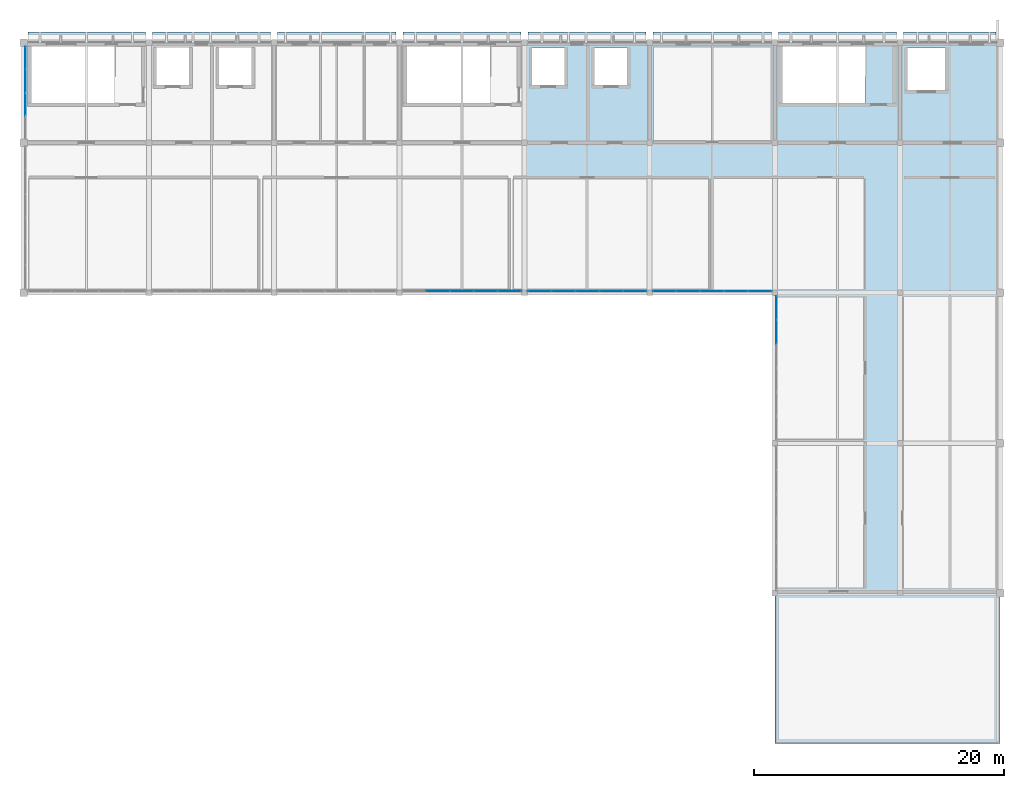
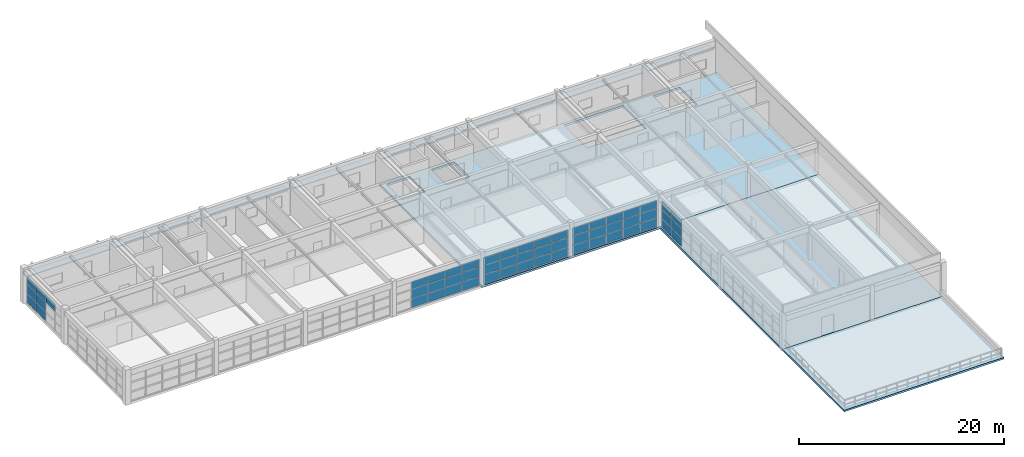
# One storey, part 11 of 16: 63 plates, 3 slabs, 5 elements without a shape of their own.
"""IFC4 building model written with IfcOpenShell, lengths in metres."""

import ifcopenshell
import ifcopenshell.guid

model = None  # the IFC model being written
_history = None  # IfcOwnerHistory: only IFC2X3 demands one
_inside = {}  # id of a spatial element -> (the spatial element, [elements in it])
_under = {}  # id of a project, library or spatial element -> (it, [spatial elements below it])
_declared = {}  # id of a project -> (the project, [libraries it declares])
_typed = {}  # id of a type object -> (the type object, [elements of that type])
_made_of = {}  # id of a material, layer set ... -> (it, [elements and type objects made of it])


def new_model(schema):
    """Start an empty IFC model of exactly this schema.

    Asked for "IFC4X3", IfcOpenShell would pick the latest addendum, in which some entities
    have other attributes; the version numbers below select the first issue.
    IFC2X3 requires an IfcOwnerHistory on every rooted entity: one is made here for all.
    """
    global model, _history
    if schema == "IFC4X3":
        model = ifcopenshell.file(schema_version=(4, 3, 0, 0))
    else:
        model = ifcopenshell.file(schema=schema)
    _inside.clear()
    _under.clear()
    _declared.clear()
    _typed.clear()
    _made_of.clear()
    _history = None
    if model.schema == "IFC2X3":
        org = make("IfcOrganization", Name="unknown")
        user = make(
            "IfcPersonAndOrganization",
            ThePerson=make("IfcPerson", FamilyName="unknown"),
            TheOrganization=org,
        )
        app = make(
            "IfcApplication",
            ApplicationDeveloper=org,
            Version="unknown",
            ApplicationFullName="unknown",
            ApplicationIdentifier="unknown",
        )
        _history = make(
            "IfcOwnerHistory",
            OwningUser=user,
            OwningApplication=app,
            ChangeAction="ADDED",
            CreationDate=0,
        )
    return model


def make(cls, **values):
    """One entity of the class cls with the attributes given. An attribute that is None is left unset."""
    return model.create_entity(
        cls, **{name: value for name, value in values.items() if value is not None}
    )


def rooted(cls, **values):
    """An entity with a GlobalId (a new one), such as an element, a storey or a relation."""
    return make(cls, GlobalId=ifcopenshell.guid.new(), OwnerHistory=_history, **values)


def si_unit(unit_type, name, prefix=None):
    """IfcSIUnit, for example si_unit("LENGTHUNIT", "METRE", prefix="MILLI")."""
    return make("IfcSIUnit", UnitType=unit_type, Prefix=prefix, Name=name)


def assignment(units):
    """IfcUnitAssignment: the units of a project."""
    return None if units is None else make("IfcUnitAssignment", Units=units)


def point(xyz):
    """IfcCartesianPoint."""
    return None if xyz is None else make("IfcCartesianPoint", Coordinates=xyz)


def direction(xyz):
    """IfcDirection."""
    return None if xyz is None else make("IfcDirection", DirectionRatios=xyz)


def frame(location, z_axis=None, x_axis=None):
    """IfcAxis2Placement3D, a coordinate frame: its origin and axes. An axis left out is left unset."""
    return make(
        "IfcAxis2Placement3D",
        Location=point(location),
        Axis=direction(z_axis),
        RefDirection=direction(x_axis),
    )


def frame_2d(location, x_axis=None):
    """IfcAxis2Placement2D, a coordinate frame in the plane: its origin and x axis."""
    return make(
        "IfcAxis2Placement2D", Location=point(location), RefDirection=direction(x_axis)
    )


def origin():
    """The frame at (0, 0, 0) with its axes left unset."""
    return frame((0.0, 0.0, 0.0))


def origin_2d():
    """The frame at (0, 0) in the plane with its x axis left unset."""
    return frame_2d((0.0, 0.0))


def place(relative_to, where):
    """IfcLocalPlacement: puts the frame where relative to a parent placement (None: the world)."""
    return make(
        "IfcLocalPlacement", PlacementRelTo=relative_to, RelativePlacement=where
    )


def context(
    kind, dimensions, precision=None, world=None, true_north=None, identifier=None
):
    """IfcGeometricRepresentationContext, for example the 3D "Model" context."""
    return make(
        "IfcGeometricRepresentationContext",
        ContextIdentifier=identifier,
        ContextType=kind,
        CoordinateSpaceDimension=dimensions,
        Precision=precision,
        WorldCoordinateSystem=world,
        TrueNorth=true_north,
    )


def subcontext(parent, identifier, kind, view, scale=None):
    """IfcGeometricRepresentationSubContext, for example "Body" below "Model"."""
    return make(
        "IfcGeometricRepresentationSubContext",
        ContextIdentifier=identifier,
        ContextType=kind,
        ParentContext=parent,
        TargetScale=scale,
        TargetView=view,
    )


def project(units=None, contexts=None):
    """IfcProject with its units and contexts."""
    return rooted(
        "IfcProject",
        Name="project",
        RepresentationContexts=contexts,
        UnitsInContext=assignment(units),
    )


def spatial(cls, under=None, at=None, **own):
    """A site, building, storey or space (cls), placed at a placement, below another one or the project."""
    s = rooted(cls, ObjectPlacement=at, **own)
    if under is not None:
        _under.setdefault(under.id(), (under, []))[1].append(s)
    return s


def polyline(points):
    """IfcPolyline through the points."""
    return make("IfcPolyline", Points=[point(p) for p in points])


def profile(cls, at=None, kind="AREA", **sizes):
    """A parametric profile (cls). Its sizes go by their IFC names, for example OverallWidth=200.0."""
    return make(cls, ProfileType=kind, Position=at, **sizes)


def rectangle(**sizes):
    """IfcRectangleProfileDef."""
    return profile("IfcRectangleProfileDef", **sizes)


def outline(outer, holes=None, kind="AREA"):
    """IfcArbitraryClosedProfileDef: a profile drawn as a closed curve; with holes, ...WithVoids."""
    if holes is None:
        return make("IfcArbitraryClosedProfileDef", ProfileType=kind, OuterCurve=outer)
    return make(
        "IfcArbitraryProfileDefWithVoids",
        ProfileType=kind,
        OuterCurve=outer,
        InnerCurves=holes,
    )


def extrude(swept, where, along, depth):
    """IfcExtrudedAreaSolid: the profile swept, set in the frame where, extruded along a direction by depth."""
    return make(
        "IfcExtrudedAreaSolid",
        SweptArea=swept,
        Position=where,
        ExtrudedDirection=direction(along),
        Depth=depth,
    )


def shape(context_of_items, identifier, shape_type, items):
    """IfcShapeRepresentation: the items that make up one representation, for example the "Body"."""
    return make(
        "IfcShapeRepresentation",
        ContextOfItems=context_of_items,
        RepresentationIdentifier=identifier,
        RepresentationType=shape_type,
        Items=items,
    )


def material(Name=None, Category=None):
    """IfcMaterial."""
    return make("IfcMaterial", Name=Name, Category=Category)


def layer(
    of_material, thickness, ventilated=None, Name=None, Category=None, Priority=None
):
    """IfcMaterialLayer: one layer of a wall or slab, of a material (None: an air gap)."""
    return make(
        "IfcMaterialLayer",
        Material=of_material,
        LayerThickness=thickness,
        IsVentilated=ventilated,
        Name=Name,
        Category=Category,
        Priority=Priority,
    )


def layer_set(layers, Name=None):
    """IfcMaterialLayerSet."""
    return make("IfcMaterialLayerSet", MaterialLayers=layers, LayerSetName=Name)


def made_of(thing, what):
    """Note that an element or type object is made of a material, layer set ...; save() writes the relation."""
    if what is not None:
        _made_of.setdefault(what.id(), (what, []))[1].append(thing)
    return thing


def type_object(cls, material=None, **own):
    """A type object (cls), such as IfcWallType, which elements share."""
    return made_of(rooted(cls, **own), material)


def element(
    cls,
    number,
    at=None,
    inside=None,
    cuts=None,
    type_object=None,
    material=None,
    context=None,
    identifier="Body",
    shape_type=None,
    held_by="IfcProductDefinitionShape",
    body=None,
    shapes=None,
    **own,
):
    """One element of the class cls, such as IfcWall. Its Tag is "e" and its number.

    at: its placement. inside: the storey or other place that contains it. cuts: it is an
    opening in that element (IfcRelVoidsElement). A single representation is given by context,
    identifier, shape_type and body (its items); several are given by shapes. held_by: the class
    of the entity that holds the representations. save() writes the other relations.
    """
    e = rooted(cls, Tag="e%d" % number, ObjectPlacement=at, **own)
    if body is not None:
        shapes = [shape(context, identifier, shape_type, body)]
    if shapes is not None:
        e.Representation = make(held_by, Representations=shapes)
    if inside is not None:
        _inside.setdefault(inside.id(), (inside, []))[1].append(e)
    if cuts is not None:
        rooted(
            "IfcRelVoidsElement", RelatingBuildingElement=cuts, RelatedOpeningElement=e
        )
    if type_object is not None:
        _typed.setdefault(type_object.id(), (type_object, []))[1].append(e)
    return made_of(e, material)


def aggregate(whole, parts):
    """IfcRelAggregates: a whole, such as a stair, and the parts it consists of."""
    return rooted("IfcRelAggregates", RelatingObject=whole, RelatedObjects=parts)


def save(model, path):
    """Write the relations noted so far, then the file.

    IfcRelAggregates (storeys below a building ...), IfcRelContainedInSpatialStructure (elements
    in a storey), IfcRelDefinesByType, IfcRelAssociatesMaterial and IfcRelDeclares: one each for
    every whole, place, type object, material and project.
    """
    for whole, parts in _under.values():
        aggregate(whole, parts)
    for where, things in _inside.values():
        rooted(
            "IfcRelContainedInSpatialStructure",
            RelatedElements=things,
            RelatingStructure=where,
        )
    for kind, things in _typed.values():
        rooted("IfcRelDefinesByType", RelatedObjects=things, RelatingType=kind)
    for what, things in _made_of.values():
        rooted("IfcRelAssociatesMaterial", RelatedObjects=things, RelatingMaterial=what)
    for by, libraries in _declared.values():
        rooted("IfcRelDeclares", RelatingContext=by, RelatedDefinitions=libraries)
    model.write(path)


model = new_model("IFC4")

# Units and contexts
model_context = context("Model", 3, precision=1e-05, world=origin(), true_north=direction((0.0, 1.0)))
body_context = subcontext(model_context, "Body", "Model", "MODEL_VIEW")
ifc_project = project(units=[si_unit("LENGTHUNIT", "METRE"), si_unit("AREAUNIT", "SQUARE_METRE"), si_unit("VOLUMEUNIT", "CUBIC_METRE"), si_unit("PLANEANGLEUNIT", "RADIAN"), si_unit("MASSUNIT", "GRAM", prefix="KILO")], contexts=[model_context])

# Site, building, storey
site_placement = place(None, origin())
site = spatial("IfcSite", under=ifc_project, at=site_placement, CompositionType="ELEMENT")
building_placement = place(site_placement, origin())
building = spatial("IfcBuilding", under=site, at=building_placement, Name="Kivolera Central Railway Station", CompositionType="ELEMENT")
storey_placement = place(building_placement, frame((0.0, 0.0, 27.0)))
storey = spatial("IfcBuildingStorey", under=building, at=storey_placement, Name="L06", CompositionType="ELEMENT", Elevation=27.0)

# Curtain wall, plates
ifc_material_1 = material(Name="Anodised aluminium", Category="aluminium")
ifc_layer_1 = layer(ifc_material_1, 0.179931640625, Name="Anodised aluminium")
ifc_layer_set_1 = layer_set([ifc_layer_1], Name="Anodised aluminium")
curtain_wall_type_1 = type_object("IfcCurtainWallType", Name="CW-SYS-34", PredefinedType="NOTDEFINED", material=ifc_layer_set_1)
curtain_wall_1_placement = place(storey_placement, origin())
curtain_wall_1 = element("IfcCurtainWall", 1, at=curtain_wall_1_placement, inside=storey, type_object=curtain_wall_type_1, Name="L06 Curtain Wall CW-L06-SOUTH-5", PredefinedType="NOTDEFINED")
ifc_material_2 = material(Name="Double low-E laminated glass", Category="glass")
ifc_layer_2 = layer(ifc_material_2, 0.02587890625, Name="Double low-E laminated glass")
ifc_layer_set_2 = layer_set([ifc_layer_2], Name="Double low-E laminated glass")
plate_type_1 = type_object("IfcPlateType", Name="CWP-GLZ-1", PredefinedType="CURTAIN_PANEL", material=ifc_layer_set_2)
plate_1_placement = place(storey_placement, frame((166.80908203125, 114.135009765625, 0.0478515625), z_axis=(0.0, 0.0, 1.0), x_axis=(-1.0, 0.0, 0.0)))
plate_1 = element("IfcPlate", 2, at=plate_1_placement, type_object=plate_type_1, Name="CW-34 panel 1.1", PredefinedType="CURTAIN_PANEL", context=body_context, shape_type="SweptSolid", body=[
    extrude(rectangle(XDim=1.845947265625, YDim=0.02587890625, at=origin_2d()), origin(), (0.0, 0.0, 1.0), 1.060302734375),
])
plate_2_placement = place(storey_placement, frame((166.80908203125, 114.135009765625, 1.144287109375), z_axis=(0.0, 0.0, 1.0), x_axis=(-1.0, 0.0, 0.0)))
plate_2 = element("IfcPlate", 3, at=plate_2_placement, type_object=plate_type_1, Name="CW-34 panel 1.2", PredefinedType="CURTAIN_PANEL", context=body_context, shape_type="SweptSolid", body=[
    extrude(rectangle(XDim=1.845947265625, YDim=0.02587890625, at=origin_2d()), origin(), (0.0, 0.0, 1.0), 1.09033203125),
])
plate_3_placement = place(storey_placement, frame((166.80908203125, 114.135009765625, 2.2705078125), z_axis=(0.0, 0.0, 1.0), x_axis=(-1.0, 0.0, 0.0)))
plate_3 = element("IfcPlate", 4, at=plate_3_placement, type_object=plate_type_1, Name="CW-34 panel 1.3", PredefinedType="CURTAIN_PANEL", context=body_context, shape_type="SweptSolid", body=[
    extrude(rectangle(XDim=1.845947265625, YDim=0.02587890625, at=origin_2d()), origin(), (0.0, 0.0, 1.0), 0.8994140625),
])
plate_4_placement = place(storey_placement, frame((164.912109375, 114.135009765625, 0.0478515625), z_axis=(0.0, 0.0, 1.0), x_axis=(-1.0, 0.0, 0.0)))
plate_4 = element("IfcPlate", 5, at=plate_4_placement, type_object=plate_type_1, Name="CW-34 panel 2.1", PredefinedType="CURTAIN_PANEL", context=body_context, shape_type="SweptSolid", body=[
    extrude(rectangle(XDim=1.8759765625, YDim=0.02587890625, at=origin_2d()), origin(), (0.0, 0.0, 1.0), 1.060302734375),
])
plate_5_placement = place(storey_placement, frame((164.912109375, 114.135009765625, 1.144287109375), z_axis=(0.0, 0.0, 1.0), x_axis=(-1.0, 0.0, 0.0)))
plate_5 = element("IfcPlate", 6, at=plate_5_placement, type_object=plate_type_1, Name="CW-34 panel 2.2", PredefinedType="CURTAIN_PANEL", context=body_context, shape_type="SweptSolid", body=[
    extrude(rectangle(XDim=1.8759765625, YDim=0.02587890625, at=origin_2d()), origin(), (0.0, 0.0, 1.0), 1.09033203125),
])
plate_6_placement = place(storey_placement, frame((164.912109375, 114.135009765625, 2.2705078125), z_axis=(0.0, 0.0, 1.0), x_axis=(-1.0, 0.0, 0.0)))
plate_6 = element("IfcPlate", 7, at=plate_6_placement, type_object=plate_type_1, Name="CW-34 panel 2.3", PredefinedType="CURTAIN_PANEL", context=body_context, shape_type="SweptSolid", body=[
    extrude(rectangle(XDim=1.8759765625, YDim=0.02587890625, at=origin_2d()), origin(), (0.0, 0.0, 1.0), 0.8994140625),
])
plate_7_placement = place(storey_placement, frame((163.0, 114.135009765625, 0.0478515625), z_axis=(0.0, 0.0, 1.0), x_axis=(-1.0, 0.0, 0.0)))
plate_7 = element("IfcPlate", 8, at=plate_7_placement, type_object=plate_type_1, Name="CW-34 panel 3.1", PredefinedType="CURTAIN_PANEL", context=body_context, shape_type="SweptSolid", body=[
    extrude(rectangle(XDim=1.8759765625, YDim=0.02587890625, at=origin_2d()), origin(), (0.0, 0.0, 1.0), 1.060302734375),
])
plate_8_placement = place(storey_placement, frame((163.0, 114.135009765625, 1.144287109375), z_axis=(0.0, 0.0, 1.0), x_axis=(-1.0, 0.0, 0.0)))
plate_8 = element("IfcPlate", 9, at=plate_8_placement, type_object=plate_type_1, Name="CW-34 panel 3.2", PredefinedType="CURTAIN_PANEL", context=body_context, shape_type="SweptSolid", body=[
    extrude(rectangle(XDim=1.8759765625, YDim=0.02587890625, at=origin_2d()), origin(), (0.0, 0.0, 1.0), 1.09033203125),
])
plate_9_placement = place(storey_placement, frame((163.0, 114.135009765625, 2.2705078125), z_axis=(0.0, 0.0, 1.0), x_axis=(-1.0, 0.0, 0.0)))
plate_9 = element("IfcPlate", 10, at=plate_9_placement, type_object=plate_type_1, Name="CW-34 panel 3.3", PredefinedType="CURTAIN_PANEL", context=body_context, shape_type="SweptSolid", body=[
    extrude(rectangle(XDim=1.8759765625, YDim=0.02587890625, at=origin_2d()), origin(), (0.0, 0.0, 1.0), 0.8994140625),
])
plate_10_placement = place(storey_placement, frame((161.087890625, 114.135009765625, 0.0478515625), z_axis=(0.0, 0.0, 1.0), x_axis=(-1.0, 0.0, 0.0)))
plate_10 = element("IfcPlate", 11, at=plate_10_placement, type_object=plate_type_1, Name="CW-34 panel 4.1", PredefinedType="CURTAIN_PANEL", context=body_context, shape_type="SweptSolid", body=[
    extrude(rectangle(XDim=1.8759765625, YDim=0.02587890625, at=origin_2d()), origin(), (0.0, 0.0, 1.0), 1.060302734375),
])
plate_11_placement = place(storey_placement, frame((161.087890625, 114.135009765625, 1.144287109375), z_axis=(0.0, 0.0, 1.0), x_axis=(-1.0, 0.0, 0.0)))
plate_11 = element("IfcPlate", 12, at=plate_11_placement, type_object=plate_type_1, Name="CW-34 panel 4.2", PredefinedType="CURTAIN_PANEL", context=body_context, shape_type="SweptSolid", body=[
    extrude(rectangle(XDim=1.8759765625, YDim=0.02587890625, at=origin_2d()), origin(), (0.0, 0.0, 1.0), 1.09033203125),
])
plate_12_placement = place(storey_placement, frame((161.087890625, 114.135009765625, 2.2705078125), z_axis=(0.0, 0.0, 1.0), x_axis=(-1.0, 0.0, 0.0)))
plate_12 = element("IfcPlate", 13, at=plate_12_placement, type_object=plate_type_1, Name="CW-34 panel 4.3", PredefinedType="CURTAIN_PANEL", context=body_context, shape_type="SweptSolid", body=[
    extrude(rectangle(XDim=1.8759765625, YDim=0.02587890625, at=origin_2d()), origin(), (0.0, 0.0, 1.0), 0.8994140625),
])
plate_13_placement = place(storey_placement, frame((159.19091796875, 114.135009765625, 0.0478515625), z_axis=(0.0, 0.0, 1.0), x_axis=(-1.0, 0.0, 0.0)))
plate_13 = element("IfcPlate", 14, at=plate_13_placement, type_object=plate_type_1, Name="CW-34 panel 5.1", PredefinedType="CURTAIN_PANEL", context=body_context, shape_type="SweptSolid", body=[
    extrude(rectangle(XDim=1.845947265625, YDim=0.02587890625, at=origin_2d()), origin(), (0.0, 0.0, 1.0), 1.060302734375),
])
plate_14_placement = place(storey_placement, frame((159.19091796875, 114.135009765625, 1.144287109375), z_axis=(0.0, 0.0, 1.0), x_axis=(-1.0, 0.0, 0.0)))
plate_14 = element("IfcPlate", 15, at=plate_14_placement, type_object=plate_type_1, Name="CW-34 panel 5.2", PredefinedType="CURTAIN_PANEL", context=body_context, shape_type="SweptSolid", body=[
    extrude(rectangle(XDim=1.845947265625, YDim=0.02587890625, at=origin_2d()), origin(), (0.0, 0.0, 1.0), 1.09033203125),
])
plate_15_placement = place(storey_placement, frame((159.19091796875, 114.135009765625, 2.2705078125), z_axis=(0.0, 0.0, 1.0), x_axis=(-1.0, 0.0, 0.0)))
plate_15 = element("IfcPlate", 16, at=plate_15_placement, type_object=plate_type_1, Name="CW-34 panel 5.3", PredefinedType="CURTAIN_PANEL", context=body_context, shape_type="SweptSolid", body=[
    extrude(rectangle(XDim=1.845947265625, YDim=0.02587890625, at=origin_2d()), origin(), (0.0, 0.0, 1.0), 0.8994140625),
])
aggregate(curtain_wall_1, [plate_1, plate_2, plate_3, plate_4, plate_5, plate_6, plate_7, plate_8, plate_9, plate_10, plate_11, plate_12, plate_13, plate_14, plate_15])

curtain_wall_2_placement = place(storey_placement, origin())
curtain_wall_2 = element("IfcCurtainWall", 17, at=curtain_wall_2_placement, inside=storey, type_object=curtain_wall_type_1, Name="L06 Curtain Wall CW-L06-SOUTH-6", PredefinedType="NOTDEFINED")
ifc_layer_3 = layer(ifc_material_2, 0.030029296875, Name="Double low-E laminated glass")
ifc_layer_set_3 = layer_set([ifc_layer_3], Name="Double low-E laminated glass")
plate_type_2 = type_object("IfcPlateType", Name="CWP-GLZ-2", PredefinedType="CURTAIN_PANEL", material=ifc_layer_set_3)
plate_16_placement = place(storey_placement, frame((176.80908203125, 114.135009765625, 0.0478515625), z_axis=(0.0, 0.0, 1.0), x_axis=(-1.0, 0.0, 0.0)))
plate_16 = element("IfcPlate", 18, at=plate_16_placement, type_object=plate_type_2, Name="CW-34 panel 1.1", PredefinedType="CURTAIN_PANEL", context=body_context, shape_type="SweptSolid", body=[
    extrude(rectangle(XDim=1.845947265625, YDim=0.030029296875, at=origin_2d()), origin(), (0.0, 0.0, 1.0), 1.060302734375),
])
plate_17_placement = place(storey_placement, frame((176.80908203125, 114.135009765625, 1.144287109375), z_axis=(0.0, 0.0, 1.0), x_axis=(-1.0, 0.0, 0.0)))
plate_17 = element("IfcPlate", 19, at=plate_17_placement, type_object=plate_type_2, Name="CW-34 panel 1.2", PredefinedType="CURTAIN_PANEL", context=body_context, shape_type="SweptSolid", body=[
    extrude(rectangle(XDim=1.845947265625, YDim=0.030029296875, at=origin_2d()), origin(), (0.0, 0.0, 1.0), 1.09033203125),
])
plate_18_placement = place(storey_placement, frame((176.80908203125, 114.135009765625, 2.2705078125), z_axis=(0.0, 0.0, 1.0), x_axis=(-1.0, 0.0, 0.0)))
plate_18 = element("IfcPlate", 20, at=plate_18_placement, type_object=plate_type_2, Name="CW-34 panel 1.3", PredefinedType="CURTAIN_PANEL", context=body_context, shape_type="SweptSolid", body=[
    extrude(rectangle(XDim=1.845947265625, YDim=0.030029296875, at=origin_2d()), origin(), (0.0, 0.0, 1.0), 0.8994140625),
])
plate_19_placement = place(storey_placement, frame((174.912109375, 114.135009765625, 0.0478515625), z_axis=(0.0, 0.0, 1.0), x_axis=(-1.0, 0.0, 0.0)))
plate_19 = element("IfcPlate", 21, at=plate_19_placement, type_object=plate_type_2, Name="CW-34 panel 2.1", PredefinedType="CURTAIN_PANEL", context=body_context, shape_type="SweptSolid", body=[
    extrude(rectangle(XDim=1.8759765625, YDim=0.030029296875, at=origin_2d()), origin(), (0.0, 0.0, 1.0), 1.060302734375),
])
plate_20_placement = place(storey_placement, frame((174.912109375, 114.135009765625, 1.144287109375), z_axis=(0.0, 0.0, 1.0), x_axis=(-1.0, 0.0, 0.0)))
plate_20 = element("IfcPlate", 22, at=plate_20_placement, type_object=plate_type_2, Name="CW-34 panel 2.2", PredefinedType="CURTAIN_PANEL", context=body_context, shape_type="SweptSolid", body=[
    extrude(rectangle(XDim=1.8759765625, YDim=0.030029296875, at=origin_2d()), origin(), (0.0, 0.0, 1.0), 1.09033203125),
])
plate_21_placement = place(storey_placement, frame((174.912109375, 114.135009765625, 2.2705078125), z_axis=(0.0, 0.0, 1.0), x_axis=(-1.0, 0.0, 0.0)))
plate_21 = element("IfcPlate", 23, at=plate_21_placement, type_object=plate_type_2, Name="CW-34 panel 2.3", PredefinedType="CURTAIN_PANEL", context=body_context, shape_type="SweptSolid", body=[
    extrude(rectangle(XDim=1.8759765625, YDim=0.030029296875, at=origin_2d()), origin(), (0.0, 0.0, 1.0), 0.8994140625),
])
plate_22_placement = place(storey_placement, frame((173.0, 114.135009765625, 0.0478515625), z_axis=(0.0, 0.0, 1.0), x_axis=(-1.0, 0.0, 0.0)))
plate_22 = element("IfcPlate", 24, at=plate_22_placement, type_object=plate_type_2, Name="CW-34 panel 3.1", PredefinedType="CURTAIN_PANEL", context=body_context, shape_type="SweptSolid", body=[
    extrude(rectangle(XDim=1.8759765625, YDim=0.030029296875, at=origin_2d()), origin(), (0.0, 0.0, 1.0), 1.060302734375),
])
plate_23_placement = place(storey_placement, frame((173.0, 114.135009765625, 1.144287109375), z_axis=(0.0, 0.0, 1.0), x_axis=(-1.0, 0.0, 0.0)))
plate_23 = element("IfcPlate", 25, at=plate_23_placement, type_object=plate_type_2, Name="CW-34 panel 3.2", PredefinedType="CURTAIN_PANEL", context=body_context, shape_type="SweptSolid", body=[
    extrude(rectangle(XDim=1.8759765625, YDim=0.030029296875, at=origin_2d()), origin(), (0.0, 0.0, 1.0), 1.09033203125),
])
plate_24_placement = place(storey_placement, frame((173.0, 114.135009765625, 2.2705078125), z_axis=(0.0, 0.0, 1.0), x_axis=(-1.0, 0.0, 0.0)))
plate_24 = element("IfcPlate", 26, at=plate_24_placement, type_object=plate_type_2, Name="CW-34 panel 3.3", PredefinedType="CURTAIN_PANEL", context=body_context, shape_type="SweptSolid", body=[
    extrude(rectangle(XDim=1.8759765625, YDim=0.030029296875, at=origin_2d()), origin(), (0.0, 0.0, 1.0), 0.8994140625),
])
plate_25_placement = place(storey_placement, frame((171.087890625, 114.135009765625, 0.0478515625), z_axis=(0.0, 0.0, 1.0), x_axis=(-1.0, 0.0, 0.0)))
plate_25 = element("IfcPlate", 27, at=plate_25_placement, type_object=plate_type_2, Name="CW-34 panel 4.1", PredefinedType="CURTAIN_PANEL", context=body_context, shape_type="SweptSolid", body=[
    extrude(rectangle(XDim=1.8759765625, YDim=0.030029296875, at=origin_2d()), origin(), (0.0, 0.0, 1.0), 1.060302734375),
])
plate_26_placement = place(storey_placement, frame((171.087890625, 114.135009765625, 1.144287109375), z_axis=(0.0, 0.0, 1.0), x_axis=(-1.0, 0.0, 0.0)))
plate_26 = element("IfcPlate", 28, at=plate_26_placement, type_object=plate_type_2, Name="CW-34 panel 4.2", PredefinedType="CURTAIN_PANEL", context=body_context, shape_type="SweptSolid", body=[
    extrude(rectangle(XDim=1.8759765625, YDim=0.030029296875, at=origin_2d()), origin(), (0.0, 0.0, 1.0), 1.09033203125),
])
plate_27_placement = place(storey_placement, frame((171.087890625, 114.135009765625, 2.2705078125), z_axis=(0.0, 0.0, 1.0), x_axis=(-1.0, 0.0, 0.0)))
plate_27 = element("IfcPlate", 29, at=plate_27_placement, type_object=plate_type_2, Name="CW-34 panel 4.3", PredefinedType="CURTAIN_PANEL", context=body_context, shape_type="SweptSolid", body=[
    extrude(rectangle(XDim=1.8759765625, YDim=0.030029296875, at=origin_2d()), origin(), (0.0, 0.0, 1.0), 0.8994140625),
])
plate_28_placement = place(storey_placement, frame((169.19091796875, 114.135009765625, 0.0478515625), z_axis=(0.0, 0.0, 1.0), x_axis=(-1.0, 0.0, 0.0)))
plate_28 = element("IfcPlate", 30, at=plate_28_placement, type_object=plate_type_2, Name="CW-34 panel 5.1", PredefinedType="CURTAIN_PANEL", context=body_context, shape_type="SweptSolid", body=[
    extrude(rectangle(XDim=1.845947265625, YDim=0.030029296875, at=origin_2d()), origin(), (0.0, 0.0, 1.0), 1.060302734375),
])
plate_29_placement = place(storey_placement, frame((169.19091796875, 114.135009765625, 1.144287109375), z_axis=(0.0, 0.0, 1.0), x_axis=(-1.0, 0.0, 0.0)))
plate_29 = element("IfcPlate", 31, at=plate_29_placement, type_object=plate_type_2, Name="CW-34 panel 5.2", PredefinedType="CURTAIN_PANEL", context=body_context, shape_type="SweptSolid", body=[
    extrude(rectangle(XDim=1.845947265625, YDim=0.030029296875, at=origin_2d()), origin(), (0.0, 0.0, 1.0), 1.09033203125),
])
plate_30_placement = place(storey_placement, frame((169.19091796875, 114.135009765625, 2.2705078125), z_axis=(0.0, 0.0, 1.0), x_axis=(-1.0, 0.0, 0.0)))
plate_30 = element("IfcPlate", 32, at=plate_30_placement, type_object=plate_type_2, Name="CW-34 panel 5.3", PredefinedType="CURTAIN_PANEL", context=body_context, shape_type="SweptSolid", body=[
    extrude(rectangle(XDim=1.845947265625, YDim=0.030029296875, at=origin_2d()), origin(), (0.0, 0.0, 1.0), 0.8994140625),
])
aggregate(curtain_wall_2, [plate_16, plate_17, plate_18, plate_19, plate_20, plate_21, plate_22, plate_23, plate_24, plate_25, plate_26, plate_27, plate_28, plate_29, plate_30])

ifc_layer_4 = layer(ifc_material_1, 0.179931640625, Name="Anodised aluminium")
ifc_layer_set_4 = layer_set([ifc_layer_4], Name="Anodised aluminium")
curtain_wall_type_2 = type_object("IfcCurtainWallType", Name="CW-SYS-35", PredefinedType="NOTDEFINED", material=ifc_layer_set_4)
curtain_wall_3_placement = place(storey_placement, origin())
curtain_wall_3 = element("IfcCurtainWall", 33, at=curtain_wall_3_placement, inside=storey, type_object=curtain_wall_type_2, Name="L06 Curtain Wall CW-L06-CRTE-J", PredefinedType="NOTDEFINED")
ifc_layer_5 = layer(ifc_material_2, 0.033935546875, Name="Double low-E laminated glass")
ifc_layer_set_5 = layer_set([ifc_layer_5], Name="Double low-E laminated glass")
plate_type_3 = type_object("IfcPlateType", Name="CWP-GLZ-3", PredefinedType="CURTAIN_PANEL", material=ifc_layer_set_5)
plate_31_placement = place(storey_placement, frame((178.135009765625, 110.889892578125, 0.0478515625), z_axis=(0.0, 0.0, 1.0), x_axis=(0.0, 1.0, 0.0)))
plate_31 = element("IfcPlate", 34, at=plate_31_placement, type_object=plate_type_3, Name="CW-35 panel 5.1", PredefinedType="CURTAIN_PANEL", context=body_context, shape_type="SweptSolid", body=[
    extrude(rectangle(XDim=1.890625, YDim=0.033935546875, at=origin_2d()), origin(), (0.0, 0.0, 1.0), 1.060302734375),
])
plate_32_placement = place(storey_placement, frame((178.135009765625, 110.889892578125, 1.144287109375), z_axis=(0.0, 0.0, 1.0), x_axis=(0.0, 1.0, 0.0)))
plate_32 = element("IfcPlate", 35, at=plate_32_placement, type_object=plate_type_3, Name="CW-35 panel 5.2", PredefinedType="CURTAIN_PANEL", context=body_context, shape_type="SweptSolid", body=[
    extrude(rectangle(XDim=1.890625, YDim=0.033935546875, at=origin_2d()), origin(), (0.0, 0.0, 1.0), 1.09033203125),
])
plate_33_placement = place(storey_placement, frame((178.135009765625, 110.889892578125, 2.2705078125), z_axis=(0.0, 0.0, 1.0), x_axis=(0.0, 1.0, 0.0)))
plate_33 = element("IfcPlate", 36, at=plate_33_placement, type_object=plate_type_3, Name="CW-35 panel 5.3", PredefinedType="CURTAIN_PANEL", context=body_context, shape_type="SweptSolid", body=[
    extrude(rectangle(XDim=1.890625, YDim=0.033935546875, at=origin_2d()), origin(), (0.0, 0.0, 1.0), 0.8994140625),
])
plate_34_placement = place(storey_placement, frame((178.135009765625, 112.8017578125, 0.0478515625), z_axis=(0.0, 0.0, 1.0), x_axis=(0.0, 1.0, 0.0)))
plate_34 = element("IfcPlate", 37, at=plate_34_placement, type_object=plate_type_3, Name="CW-35 panel 6.1", PredefinedType="CURTAIN_PANEL", context=body_context, shape_type="SweptSolid", body=[
    extrude(rectangle(XDim=1.860595703125, YDim=0.033935546875, at=origin_2d()), origin(), (0.0, 0.0, 1.0), 1.060302734375),
])
plate_35_placement = place(storey_placement, frame((178.135009765625, 112.8017578125, 1.144287109375), z_axis=(0.0, 0.0, 1.0), x_axis=(0.0, 1.0, 0.0)))
plate_35 = element("IfcPlate", 38, at=plate_35_placement, type_object=plate_type_3, Name="CW-35 panel 6.2", PredefinedType="CURTAIN_PANEL", context=body_context, shape_type="SweptSolid", body=[
    extrude(rectangle(XDim=1.860595703125, YDim=0.033935546875, at=origin_2d()), origin(), (0.0, 0.0, 1.0), 1.09033203125),
])
plate_36_placement = place(storey_placement, frame((178.135009765625, 112.8017578125, 2.2705078125), z_axis=(0.0, 0.0, 1.0), x_axis=(0.0, 1.0, 0.0)))
plate_36 = element("IfcPlate", 39, at=plate_36_placement, type_object=plate_type_3, Name="CW-35 panel 6.3", PredefinedType="CURTAIN_PANEL", context=body_context, shape_type="SweptSolid", body=[
    extrude(rectangle(XDim=1.860595703125, YDim=0.033935546875, at=origin_2d()), origin(), (0.0, 0.0, 1.0), 0.8994140625),
])
aggregate(curtain_wall_3, [plate_31, plate_32, plate_33, plate_34, plate_35, plate_36])

ifc_layer_6 = layer(ifc_material_1, 0.179931640625, Name="Anodised aluminium")
ifc_layer_set_6 = layer_set([ifc_layer_6], Name="Anodised aluminium")
curtain_wall_type_3 = type_object("IfcCurtainWallType", Name="CW-SYS-36", PredefinedType="NOTDEFINED", material=ifc_layer_set_6)
curtain_wall_4_placement = place(storey_placement, origin())
curtain_wall_4 = element("IfcCurtainWall", 40, at=curtain_wall_4_placement, inside=storey, type_object=curtain_wall_type_3, Name="L06 Curtain Wall CW-L06-WEST-L", PredefinedType="NOTDEFINED")
ifc_layer_7 = layer(ifc_material_2, 0.0380859375, Name="Double low-E laminated glass")
ifc_layer_set_7 = layer_set([ifc_layer_7], Name="Double low-E laminated glass")
plate_type_4 = type_object("IfcPlateType", Name="CWP-GLZ-4", PredefinedType="CURTAIN_PANEL", material=ifc_layer_set_7)
plate_37_placement = place(storey_placement, frame((118.135009765625, 129.07373046875, 2.2705078125), z_axis=(0.0, 0.0, 1.0), x_axis=(0.0, 1.0, 0.0)))
plate_37 = element("IfcPlate", 41, at=plate_37_placement, type_object=plate_type_4, Name="CW-36 panel 2.3", PredefinedType="CURTAIN_PANEL", context=body_context, shape_type="SweptSolid", body=[
    extrude(rectangle(XDim=1.81640625, YDim=0.0380859375, at=origin_2d()), origin(), (0.0, 0.0, 1.0), 0.8994140625),
])
plate_38_placement = place(storey_placement, frame((118.135009765625, 130.92626953125, 0.0478515625), z_axis=(0.0, 0.0, 1.0), x_axis=(0.0, 1.0, 0.0)))
plate_38 = element("IfcPlate", 42, at=plate_38_placement, type_object=plate_type_4, Name="CW-36 panel 3.1", PredefinedType="CURTAIN_PANEL", context=body_context, shape_type="SweptSolid", body=[
    extrude(rectangle(XDim=1.81640625, YDim=0.0380859375, at=origin_2d()), origin(), (0.0, 0.0, 1.0), 1.060302734375),
])
plate_39_placement = place(storey_placement, frame((118.135009765625, 130.92626953125, 1.144287109375), z_axis=(0.0, 0.0, 1.0), x_axis=(0.0, 1.0, 0.0)))
plate_39 = element("IfcPlate", 43, at=plate_39_placement, type_object=plate_type_4, Name="CW-36 panel 3.2", PredefinedType="CURTAIN_PANEL", context=body_context, shape_type="SweptSolid", body=[
    extrude(rectangle(XDim=1.81640625, YDim=0.0380859375, at=origin_2d()), origin(), (0.0, 0.0, 1.0), 1.09033203125),
])
plate_40_placement = place(storey_placement, frame((118.135009765625, 130.92626953125, 2.2705078125), z_axis=(0.0, 0.0, 1.0), x_axis=(0.0, 1.0, 0.0)))
plate_40 = element("IfcPlate", 44, at=plate_40_placement, type_object=plate_type_4, Name="CW-36 panel 3.3", PredefinedType="CURTAIN_PANEL", context=body_context, shape_type="SweptSolid", body=[
    extrude(rectangle(XDim=1.81640625, YDim=0.0380859375, at=origin_2d()), origin(), (0.0, 0.0, 1.0), 0.8994140625),
])
plate_41_placement = place(storey_placement, frame((118.135009765625, 132.763671875, 0.0478515625), z_axis=(0.0, 0.0, 1.0), x_axis=(0.0, 1.0, 0.0)))
plate_41 = element("IfcPlate", 45, at=plate_41_placement, type_object=plate_type_4, Name="CW-36 panel 4.1", PredefinedType="CURTAIN_PANEL", context=body_context, shape_type="SweptSolid", body=[
    extrude(rectangle(XDim=1.78662109375, YDim=0.0380859375, at=origin_2d()), origin(), (0.0, 0.0, 1.0), 1.060302734375),
])
plate_42_placement = place(storey_placement, frame((118.135009765625, 132.763671875, 1.144287109375), z_axis=(0.0, 0.0, 1.0), x_axis=(0.0, 1.0, 0.0)))
plate_42 = element("IfcPlate", 46, at=plate_42_placement, type_object=plate_type_4, Name="CW-36 panel 4.2", PredefinedType="CURTAIN_PANEL", context=body_context, shape_type="SweptSolid", body=[
    extrude(rectangle(XDim=1.78662109375, YDim=0.0380859375, at=origin_2d()), origin(), (0.0, 0.0, 1.0), 1.09033203125),
])
plate_43_placement = place(storey_placement, frame((118.135009765625, 132.763671875, 2.2705078125), z_axis=(0.0, 0.0, 1.0), x_axis=(0.0, 1.0, 0.0)))
plate_43 = element("IfcPlate", 47, at=plate_43_placement, type_object=plate_type_4, Name="CW-36 panel 4.3", PredefinedType="CURTAIN_PANEL", context=body_context, shape_type="SweptSolid", body=[
    extrude(rectangle(XDim=1.78662109375, YDim=0.0380859375, at=origin_2d()), origin(), (0.0, 0.0, 1.0), 0.8994140625),
])
aggregate(curtain_wall_4, [plate_37, plate_38, plate_39, plate_40, plate_41, plate_42, plate_43])

curtain_wall_5_placement = place(storey_placement, origin())
curtain_wall_5 = element("IfcCurtainWall", 48, at=curtain_wall_5_placement, inside=storey, type_object=curtain_wall_type_1, Name="L06 Curtain Wall CW-L06-SOUTH-4", PredefinedType="NOTDEFINED")
ifc_layer_8 = layer(ifc_material_2, 0.0419921875, Name="Double low-E laminated glass")
ifc_layer_set_8 = layer_set([ifc_layer_8], Name="Double low-E laminated glass")
plate_type_5 = type_object("IfcPlateType", Name="CWP-GLZ-5", PredefinedType="CURTAIN_PANEL", material=ifc_layer_set_8)
plate_44_placement = place(storey_placement, frame((156.80908203125, 114.135009765625, 0.0478515625), z_axis=(0.0, 0.0, 1.0), x_axis=(-1.0, 0.0, 0.0)))
plate_44 = element("IfcPlate", 49, at=plate_44_placement, type_object=plate_type_5, Name="CW-34 panel 1.1", PredefinedType="CURTAIN_PANEL", context=body_context, shape_type="SweptSolid", body=[
    extrude(rectangle(XDim=1.845947265625, YDim=0.0419921875, at=origin_2d()), origin(), (0.0, 0.0, 1.0), 1.060302734375),
])
plate_45_placement = place(storey_placement, frame((156.80908203125, 114.135009765625, 1.144287109375), z_axis=(0.0, 0.0, 1.0), x_axis=(-1.0, 0.0, 0.0)))
plate_45 = element("IfcPlate", 50, at=plate_45_placement, type_object=plate_type_5, Name="CW-34 panel 1.2", PredefinedType="CURTAIN_PANEL", context=body_context, shape_type="SweptSolid", body=[
    extrude(rectangle(XDim=1.845947265625, YDim=0.0419921875, at=origin_2d()), origin(), (0.0, 0.0, 1.0), 1.09033203125),
])
plate_46_placement = place(storey_placement, frame((156.80908203125, 114.135009765625, 2.2705078125), z_axis=(0.0, 0.0, 1.0), x_axis=(-1.0, 0.0, 0.0)))
plate_46 = element("IfcPlate", 51, at=plate_46_placement, type_object=plate_type_5, Name="CW-34 panel 1.3", PredefinedType="CURTAIN_PANEL", context=body_context, shape_type="SweptSolid", body=[
    extrude(rectangle(XDim=1.845947265625, YDim=0.0419921875, at=origin_2d()), origin(), (0.0, 0.0, 1.0), 0.8994140625),
])
plate_47_placement = place(storey_placement, frame((154.912109375, 114.135009765625, 0.0478515625), z_axis=(0.0, 0.0, 1.0), x_axis=(-1.0, 0.0, 0.0)))
plate_47 = element("IfcPlate", 52, at=plate_47_placement, type_object=plate_type_5, Name="CW-34 panel 2.1", PredefinedType="CURTAIN_PANEL", context=body_context, shape_type="SweptSolid", body=[
    extrude(rectangle(XDim=1.8759765625, YDim=0.0419921875, at=origin_2d()), origin(), (0.0, 0.0, 1.0), 1.060302734375),
])
plate_48_placement = place(storey_placement, frame((154.912109375, 114.135009765625, 1.144287109375), z_axis=(0.0, 0.0, 1.0), x_axis=(-1.0, 0.0, 0.0)))
plate_48 = element("IfcPlate", 53, at=plate_48_placement, type_object=plate_type_5, Name="CW-34 panel 2.2", PredefinedType="CURTAIN_PANEL", context=body_context, shape_type="SweptSolid", body=[
    extrude(rectangle(XDim=1.8759765625, YDim=0.0419921875, at=origin_2d()), origin(), (0.0, 0.0, 1.0), 1.09033203125),
])
plate_49_placement = place(storey_placement, frame((154.912109375, 114.135009765625, 2.2705078125), z_axis=(0.0, 0.0, 1.0), x_axis=(-1.0, 0.0, 0.0)))
plate_49 = element("IfcPlate", 54, at=plate_49_placement, type_object=plate_type_5, Name="CW-34 panel 2.3", PredefinedType="CURTAIN_PANEL", context=body_context, shape_type="SweptSolid", body=[
    extrude(rectangle(XDim=1.8759765625, YDim=0.0419921875, at=origin_2d()), origin(), (0.0, 0.0, 1.0), 0.8994140625),
])
plate_50_placement = place(storey_placement, frame((153.0, 114.135009765625, 0.0478515625), z_axis=(0.0, 0.0, 1.0), x_axis=(-1.0, 0.0, 0.0)))
plate_50 = element("IfcPlate", 55, at=plate_50_placement, type_object=plate_type_5, Name="CW-34 panel 3.1", PredefinedType="CURTAIN_PANEL", context=body_context, shape_type="SweptSolid", body=[
    extrude(rectangle(XDim=1.8759765625, YDim=0.0419921875, at=origin_2d()), origin(), (0.0, 0.0, 1.0), 1.060302734375),
])
plate_51_placement = place(storey_placement, frame((153.0, 114.135009765625, 1.144287109375), z_axis=(0.0, 0.0, 1.0), x_axis=(-1.0, 0.0, 0.0)))
plate_51 = element("IfcPlate", 56, at=plate_51_placement, type_object=plate_type_5, Name="CW-34 panel 3.2", PredefinedType="CURTAIN_PANEL", context=body_context, shape_type="SweptSolid", body=[
    extrude(rectangle(XDim=1.8759765625, YDim=0.0419921875, at=origin_2d()), origin(), (0.0, 0.0, 1.0), 1.09033203125),
])
plate_52_placement = place(storey_placement, frame((153.0, 114.135009765625, 2.2705078125), z_axis=(0.0, 0.0, 1.0), x_axis=(-1.0, 0.0, 0.0)))
plate_52 = element("IfcPlate", 57, at=plate_52_placement, type_object=plate_type_5, Name="CW-34 panel 3.3", PredefinedType="CURTAIN_PANEL", context=body_context, shape_type="SweptSolid", body=[
    extrude(rectangle(XDim=1.8759765625, YDim=0.0419921875, at=origin_2d()), origin(), (0.0, 0.0, 1.0), 0.8994140625),
])
plate_53_placement = place(storey_placement, frame((151.087890625, 114.135009765625, 0.0478515625), z_axis=(0.0, 0.0, 1.0), x_axis=(-1.0, 0.0, 0.0)))
plate_53 = element("IfcPlate", 58, at=plate_53_placement, type_object=plate_type_5, Name="CW-34 panel 4.1", PredefinedType="CURTAIN_PANEL", context=body_context, shape_type="SweptSolid", body=[
    extrude(rectangle(XDim=1.8759765625, YDim=0.0419921875, at=origin_2d()), origin(), (0.0, 0.0, 1.0), 1.060302734375),
])
plate_54_placement = place(storey_placement, frame((151.087890625, 114.135009765625, 1.144287109375), z_axis=(0.0, 0.0, 1.0), x_axis=(-1.0, 0.0, 0.0)))
plate_54 = element("IfcPlate", 59, at=plate_54_placement, type_object=plate_type_5, Name="CW-34 panel 4.2", PredefinedType="CURTAIN_PANEL", context=body_context, shape_type="SweptSolid", body=[
    extrude(rectangle(XDim=1.8759765625, YDim=0.0419921875, at=origin_2d()), origin(), (0.0, 0.0, 1.0), 1.09033203125),
])
plate_55_placement = place(storey_placement, frame((151.087890625, 114.135009765625, 2.2705078125), z_axis=(0.0, 0.0, 1.0), x_axis=(-1.0, 0.0, 0.0)))
plate_55 = element("IfcPlate", 60, at=plate_55_placement, type_object=plate_type_5, Name="CW-34 panel 4.3", PredefinedType="CURTAIN_PANEL", context=body_context, shape_type="SweptSolid", body=[
    extrude(rectangle(XDim=1.8759765625, YDim=0.0419921875, at=origin_2d()), origin(), (0.0, 0.0, 1.0), 0.8994140625),
])
aggregate(curtain_wall_5, [plate_44, plate_45, plate_46, plate_47, plate_48, plate_49, plate_50, plate_51, plate_52, plate_53, plate_54, plate_55])

# Plates
ifc_layer_9 = layer(ifc_material_1, 0.094970703125, Name="Anodised aluminium")
ifc_layer_set_9 = layer_set([ifc_layer_9], Name="Anodised aluminium")
plate_type_6 = type_object("IfcPlateType", Name="PLT-EGGHOOD-95", PredefinedType="SHEET", material=ifc_layer_set_9)
plate_56_placement = place(storey_placement, frame((123.037109375, 134.4130859375, 2.7724609375), z_axis=(0.0, 0.0, 1.0), x_axis=(1.0, 0.0, 0.0)))
element("IfcPlate", 61, at=plate_56_placement, inside=storey, type_object=plate_type_6, Name="L06 North Afro-Modernist Monsoon Sun-Hood 1", PredefinedType="SHEET", context=body_context, shape_type="SweptSolid", body=[
    extrude(rectangle(XDim=9.364990234375, YDim=0.85009765625, at=origin_2d()), origin(), (0.0, 0.0, 1.0), 0.094970703125),
])
for number, where, z_axis, x_axis, name in (
    (62, (133.0, 134.4130859375, 2.7724609375), (0.0, 0.0, 1.0), (1.0, 0.0, 0.0), "L06 North Afro-Modernist Monsoon Sun-Hood 2"),
    (63, (143.0, 134.4130859375, 2.7724609375), (0.0, 0.0, 1.0), (1.0, 0.0, 0.0), "L06 North Afro-Modernist Monsoon Sun-Hood 3"),
    (64, (153.0, 134.4130859375, 2.7724609375), (0.0, 0.0, 1.0), (1.0, 0.0, 0.0), "L06 North Afro-Modernist Monsoon Sun-Hood 4"),
    (65, (163.0, 134.4130859375, 2.7724609375), (0.0, 0.0, 1.0), (1.0, 0.0, 0.0), "L06 North Afro-Modernist Monsoon Sun-Hood 5"),
    (66, (173.0, 134.4130859375, 2.7724609375), (0.0, 0.0, 1.0), (1.0, 0.0, 0.0), "L06 North Afro-Modernist Monsoon Sun-Hood 6"),
    (67, (183.0, 134.4130859375, 2.7724609375), (0.0, 0.0, 1.0), (1.0, 0.0, 0.0), "L06 North Afro-Modernist Monsoon Sun-Hood 7"),
):
    element("IfcPlate", number, at=place(storey_placement, frame(where, z_axis=z_axis, x_axis=x_axis)), inside=storey, type_object=plate_type_6, Name=name, PredefinedType="SHEET", context=body_context, shape_type="SweptSolid", body=[
        extrude(rectangle(XDim=9.43994140625, YDim=0.85009765625, at=origin_2d()), origin(), (0.0, 0.0, 1.0), 0.094970703125),
    ])
plate_57_placement = place(storey_placement, frame((191.962890625, 134.4130859375, 2.7724609375), z_axis=(0.0, 0.0, 1.0), x_axis=(1.0, 0.0, 0.0)))
element("IfcPlate", 68, at=plate_57_placement, inside=storey, type_object=plate_type_6, Name="L06 North Afro-Modernist Monsoon Sun-Hood 8", PredefinedType="SHEET", context=body_context, shape_type="SweptSolid", body=[
    extrude(rectangle(XDim=7.364990234375, YDim=0.85009765625, at=origin_2d()), origin(), (0.0, 0.0, 1.0), 0.094970703125),
])

# Slabs
ifc_material_3 = material(Name="Concrete C40/50", Category="concrete")
ifc_layer_10 = layer(ifc_material_3, 0.25, Name="Concrete C40/50")
ifc_layer_set_10 = layer_set([ifc_layer_10], Name="Concrete C40/50")
slab_type_1 = type_object("IfcSlabType", Name="SLB-FLR-250", PredefinedType="FLOOR", material=ifc_layer_set_10)
slab_1_placement = place(storey_placement, frame((0.0, 0.0, -0.25)))
element("IfcSlab", 69, at=slab_1_placement, inside=storey, type_object=slab_type_1, Name="L06 Wing NORTH-E Floor Slab", PredefinedType="FLOOR", context=body_context, shape_type="SweptSolid", body=[
    extrude(outline(polyline([(158.0, 114.0), (196.0, 114.0), (196.0, 134.0), (158.0, 134.0), (158.0, 114.0)]), holes=[polyline([(185.239990234375, 133.679931640625), (178.60009765625, 133.679931640625), (178.60009765625, 129.179931640625), (185.239990234375, 129.179931640625), (185.239990234375, 133.679931640625)]), polyline([(158.60009765625, 130.60009765625), (161.199951171875, 130.60009765625), (161.199951171875, 133.60009765625), (158.60009765625, 133.60009765625), (158.60009765625, 130.60009765625)]), polyline([(163.60009765625, 130.60009765625), (166.199951171875, 130.60009765625), (166.199951171875, 133.60009765625), (163.60009765625, 133.60009765625), (163.60009765625, 130.60009765625)]), polyline([(188.60009765625, 130.199951171875), (191.60009765625, 130.199951171875), (191.60009765625, 133.60009765625), (188.60009765625, 133.60009765625), (188.60009765625, 130.199951171875)])]), origin(), (0.0, 0.0, 1.0), 0.25),
])
slab_2_placement = place(storey_placement, frame((0.0, 0.0, -0.25)))
element("IfcSlab", 70, at=slab_2_placement, inside=storey, type_object=slab_type_1, Name="L06 Wing EAST-ACAD Floor Slab", PredefinedType="FLOOR", context=body_context, shape_type="SweptSolid", body=[
    extrude(outline(polyline([(178.0, 90.0), (196.0, 90.0), (196.0, 114.0), (178.0, 114.0), (178.0, 90.0)])), origin(), (0.0, 0.0, 1.0), 0.25),
])
ifc_layer_11 = layer(ifc_material_3, 0.2099609375, Name="Concrete C40/50")
ifc_layer_set_11 = layer_set([ifc_layer_11], Name="Concrete C40/50")
slab_type_2 = type_object("IfcSlabType", Name="SLB-TER-210", PredefinedType="ROOF", material=ifc_layer_set_11)
slab_3_placement = place(storey_placement, frame((0.0, 0.0, -0.2099609375)))
element("IfcSlab", 71, at=slab_3_placement, inside=storey, type_object=slab_type_2, Name="L06 South-East Walkable Monsoon Roof Terrace Slab", PredefinedType="ROOF", context=body_context, shape_type="SweptSolid", body=[
    extrude(outline(polyline([(178.0, 78.0), (196.0, 78.0), (196.0, 90.0), (178.0, 90.0), (178.0, 78.0)])), origin(), (0.0, 0.0, 1.0), 0.2099609375),
])

save(model, "model.ifc")
